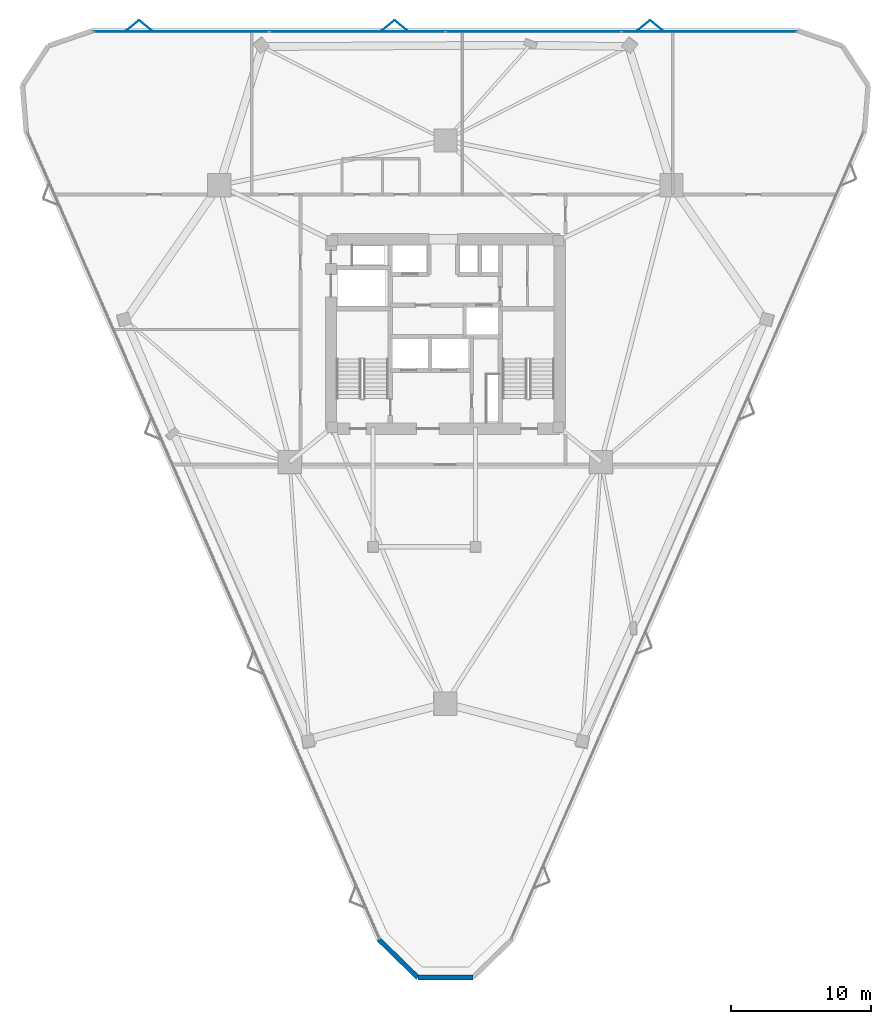
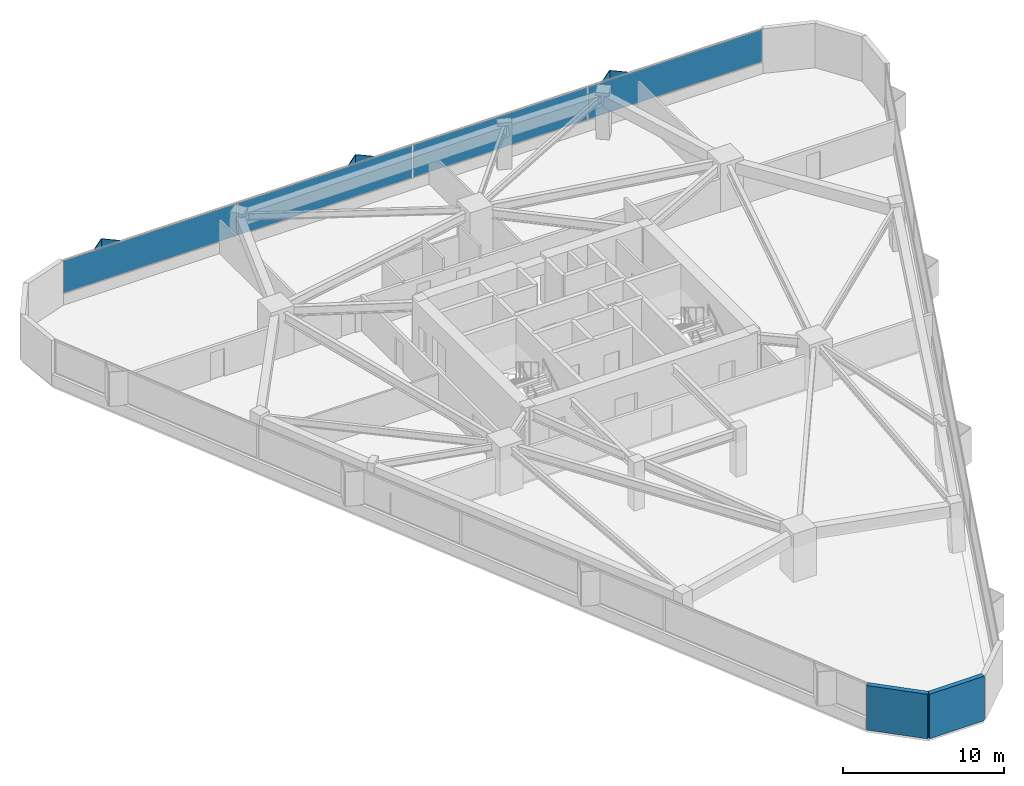
# One storey, part 10 of 15: 10 plates, 2 walls, 1 element without a shape of its own.
"""IFC4 building model written with IfcOpenShell, lengths in metres."""

from ifc_helpers import new_model, si_unit, direction, frame, frame_2d, origin, origin_2d, place, context, subcontext, project, spatial, rectangle, extrude, material, layer, layer_set, type_object, element, aggregate, save


model = new_model("IFC4")

# Units and contexts
model_context = context("Model", 3, precision=1e-05, world=origin(), true_north=direction((0.0, 1.0)))
body_context = subcontext(model_context, "Body", "Model", "MODEL_VIEW")
ifc_project = project(units=[si_unit("LENGTHUNIT", "METRE"), si_unit("AREAUNIT", "SQUARE_METRE"), si_unit("VOLUMEUNIT", "CUBIC_METRE"), si_unit("PLANEANGLEUNIT", "RADIAN"), si_unit("MASSUNIT", "GRAM", prefix="KILO")], contexts=[model_context])

# Site, building, storey
site_placement = place(None, origin())
site = spatial("IfcSite", under=ifc_project, at=site_placement, CompositionType="ELEMENT")
building_placement = place(site_placement, origin())
building = spatial("IfcBuilding", under=site, at=building_placement, Name="Talyreon Biosciences Tower", CompositionType="ELEMENT")
storey_placement = place(building_placement, frame((0.0, 0.0, 111.5)))
storey = spatial("IfcBuildingStorey", under=building, at=storey_placement, Name="L29", CompositionType="ELEMENT", Elevation=111.5)

# Curtain wall, plates
ifc_material_1 = material(Name="Thermally broken aluminium and low-E glazing", Category="aluminium")
ifc_layer_1 = layer(ifc_material_1, 0.18994140625)
ifc_layer_set_1 = layer_set([ifc_layer_1], Name="Thermally broken aluminium and low-E glazing")
curtain_wall_type = type_object("IfcCurtainWallType", Name="CurtainWall_Zone2Genomics", PredefinedType="NOTDEFINED", material=ifc_layer_set_1)
curtain_wall_placement = place(storey_placement, origin())
curtain_wall = element("IfcCurtainWall", 1, at=curtain_wall_placement, inside=storey, type_object=curtain_wall_type, Name="L29 Unitised Curtain Wall FCW-L29-04", PredefinedType="NOTDEFINED")
ifc_material_2 = material(Name="Triple-silver low-E insulated glazing", Category="glass")
ifc_layer_2 = layer(ifc_material_2, 0.031982421875)
ifc_layer_set_2 = layer_set([ifc_layer_2], Name="Triple-silver low-E insulated glazing")
plate_type_1 = type_object("IfcPlateType", Name="CWGlazingPanel_32", PredefinedType="CURTAIN_PANEL", material=ifc_layer_set_2)
plate_1_placement = place(storey_placement, frame((47.199951171875, 89.539794921875, 0.875), z_axis=(0.0, 0.0, 1.0), x_axis=(1.0, 0.0, 0.0)))
plate_1 = element("IfcPlate", 2, at=plate_1_placement, type_object=plate_type_1, Name="CW3 panel 1.1", PredefinedType="CURTAIN_PANEL", context=body_context, shape_type="SweptSolid", body=[
    extrude(rectangle(XDim=12.44677734375, YDim=0.031982421875, at=origin_2d()), origin(), (0.0, 0.0, 1.0), 2.43505859375),
])
plate_2_placement = place(storey_placement, frame((59.727783203125, 89.539794921875, 0.875), z_axis=(0.0, 0.0, 1.0), x_axis=(1.0, 0.0, 0.0)))
plate_2 = element("IfcPlate", 3, at=plate_2_placement, type_object=plate_type_1, Name="CW3 panel 2.1", PredefinedType="CURTAIN_PANEL", context=body_context, shape_type="SweptSolid", body=[
    extrude(rectangle(XDim=12.479248046875, YDim=0.031982421875, at=origin_2d()), origin(), (0.0, 0.0, 1.0), 2.43505859375),
])
plate_3_placement = place(storey_placement, frame((72.27197265625, 89.539794921875, 0.875), z_axis=(0.0, 0.0, 1.0), x_axis=(1.0, 0.0, 0.0)))
plate_3 = element("IfcPlate", 4, at=plate_3_placement, type_object=plate_type_1, Name="CW3 panel 3.1", PredefinedType="CURTAIN_PANEL", context=body_context, shape_type="SweptSolid", body=[
    extrude(rectangle(XDim=12.479248046875, YDim=0.031982421875, at=origin_2d()), origin(), (0.0, 0.0, 1.0), 2.43505859375),
])
plate_4_placement = place(storey_placement, frame((84.800048828125, 89.539794921875, 0.875), z_axis=(0.0, 0.0, 1.0), x_axis=(1.0, 0.0, 0.0)))
plate_4 = element("IfcPlate", 5, at=plate_4_placement, type_object=plate_type_1, Name="CW3 panel 4.1", PredefinedType="CURTAIN_PANEL", context=body_context, shape_type="SweptSolid", body=[
    extrude(rectangle(XDim=12.44677734375, YDim=0.031982421875, at=origin_2d()), origin(), (0.0, 0.0, 1.0), 2.43505859375),
])
aggregate(curtain_wall, [plate_1, plate_2, plate_3, plate_4])

# Plates
ifc_material_3 = material(Name="Ivory GFRC sunshade panel", Category="concrete")
ifc_layer_3 = layer(ifc_material_3, 0.044921875)
ifc_layer_set_3 = layer_set([ifc_layer_3], Name="Ivory GFRC sunshade panel")
plate_type_2 = type_object("IfcPlateType", Name="FoldedVSunshade_NorthFace_SUNSHADE", PredefinedType="USERDEFINED", material=ifc_layer_set_3)
for number, where, z_axis, x_axis, name in (
    (6, (43.7314453125, 89.979736328125, 0.7900390625), (0.0, 0.0, 1.0), (0.771624583388, 0.636078220278, 0.0), "L29 Folded V-Sunshade Panel 04.01L"),
    (7, (44.631591796875, 89.979736328125, 0.7900390625), (0.0, 0.0, 1.0), (0.771624583388, -0.636078220278, 0.0), "L29 Folded V-Sunshade Panel 04.01R"),
    (8, (61.931396484375, 89.979736328125, 0.7900390625), (0.0, 0.0, 1.0), (0.771624583388, 0.636078220278, 0.0), "L29 Folded V-Sunshade Panel 04.02L"),
    (9, (62.83154296875, 89.979736328125, 0.7900390625), (0.0, 0.0, 1.0), (0.771624583388, -0.636078220278, 0.0), "L29 Folded V-Sunshade Panel 04.02R"),
    (10, (80.131591796875, 89.979736328125, 0.7900390625), (0.0, 0.0, 1.0), (0.771624583388, 0.636078220278, 0.0), "L29 Folded V-Sunshade Panel 04.03L"),
    (11, (81.031494140625, 89.979736328125, 0.7900390625), (0.0, 0.0, 1.0), (0.771624583388, -0.636078220278, 0.0), "L29 Folded V-Sunshade Panel 04.03R"),
):
    element("IfcPlate", number, at=place(storey_placement, frame(where, z_axis=z_axis, x_axis=x_axis)), inside=storey, type_object=plate_type_2, Name=name, ObjectType="SUNSHADE", PredefinedType="USERDEFINED", context=body_context, shape_type="SweptSolid", body=[
        extrude(rectangle(XDim=1.14990234375, YDim=0.044921875, at=origin_2d()), origin(), (0.0, 0.0, 1.0), 2.5849609375),
    ])

# Walls
ifc_material_4 = material(Name="Precast concrete C45/55", Category="concrete")
ifc_layer_4 = layer(ifc_material_4, 0.340087890625)
ifc_layer_set_4 = layer_set([ifc_layer_4], Name="Precast concrete C45/55")
wall_type = type_object("IfcWallType", Name="PrecastConcreteSpandrelWall_340", PredefinedType="STANDARD", material=ifc_layer_set_4)
wall_1_placement = place(storey_placement, frame((67.95947265625, 22.156982421875, 0.0), z_axis=(0.0, 0.0, 1.0), x_axis=(-1.0, 0.0, 0.0)))
element("IfcWall", 12, at=wall_1_placement, inside=storey, type_object=wall_type, Name="L29 Rounded-Corner Concrete Pier 10", PredefinedType="STANDARD", context=body_context, shape_type="SweptSolid", body=[
    extrude(rectangle(XDim=3.9189453125, YDim=0.340087890625, at=frame_2d((1.95947265625, 0.0))), origin(), (0.0, 0.0, 1.0), 3.375),
])
wall_2_placement = place(storey_placement, frame((64.04052734375, 22.156982421875, 0.0), z_axis=(0.0, 0.0, 1.0), x_axis=(-0.716021159022, 0.69807857712, 0.0)))
element("IfcWall", 13, at=wall_2_placement, inside=storey, type_object=wall_type, Name="L29 Rounded-Corner Concrete Pier 11", PredefinedType="STANDARD", context=body_context, shape_type="SweptSolid", body=[
    extrude(rectangle(XDim=3.918701171875, YDim=0.340087890625, at=frame_2d((1.95947265625, 0.0))), origin(), (0.0, 0.0, 1.0), 3.375),
])

save(model, "model.ifc")
